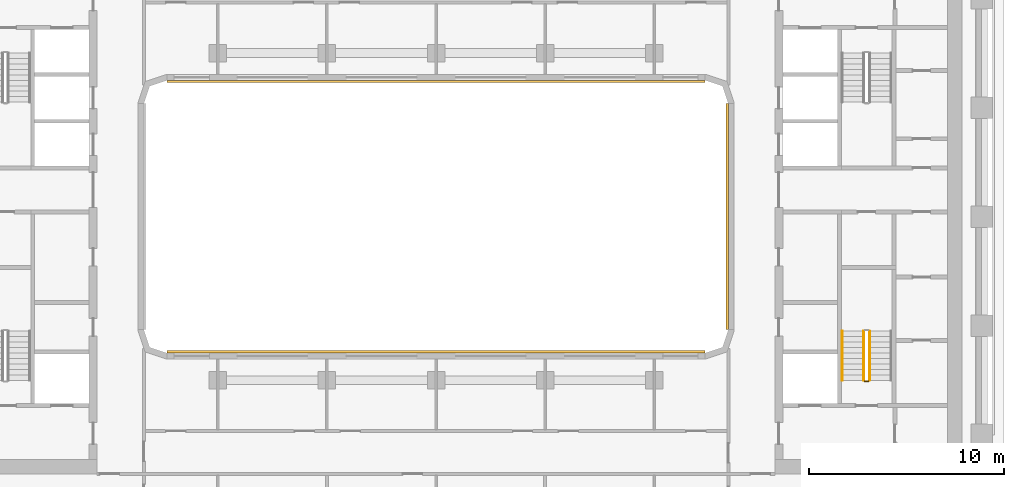
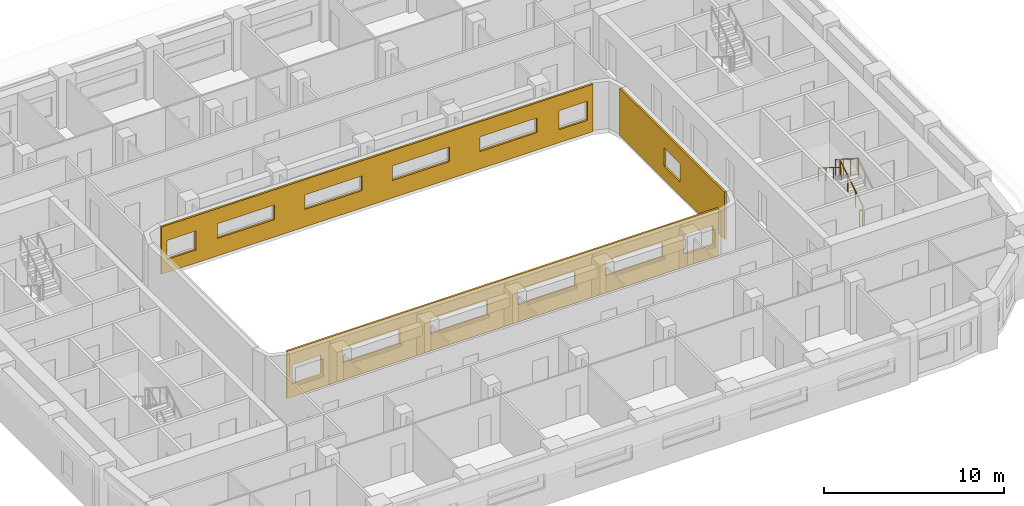
# One storey, part 16 of 22: 4 railings, 3 coverings.
"""IFC4 building model written with IfcOpenShell, lengths in metres."""

from ifc_helpers import new_model, si_unit, direction, frame, origin, origin_2d, place, context, subcontext, project, spatial, polyline, circle, outline, extrude, material, layer, layer_set, type_object, element, save


model = new_model("IFC4")

# Units and contexts
model_context = context("Model", 3, precision=1e-05, world=origin(), true_north=direction((0.0, 1.0)))
body_context = subcontext(model_context, "Body", "Model", "MODEL_VIEW")
ifc_project = project(units=[si_unit("LENGTHUNIT", "METRE"), si_unit("AREAUNIT", "SQUARE_METRE"), si_unit("VOLUMEUNIT", "CUBIC_METRE"), si_unit("PLANEANGLEUNIT", "RADIAN"), si_unit("MASSUNIT", "GRAM", prefix="KILO")], contexts=[model_context])

# Site, building, storey
site_placement = place(None, origin())
site = spatial("IfcSite", under=ifc_project, at=site_placement, CompositionType="ELEMENT")
building_placement = place(site_placement, origin())
building = spatial("IfcBuilding", under=site, at=building_placement, Name="Kiln Ring Residences", CompositionType="ELEMENT")
storey_placement = place(building_placement, frame((0.0, 0.0, 146.60009765625)))
storey = spatial("IfcBuildingStorey", under=building, at=storey_placement, Name="L37", CompositionType="ELEMENT", Elevation=146.60009765625)

# Railings
ifc_material_1 = material(Name="Stainless steel", Category="steel")
railing_type_1 = type_object("IfcRailingType", Name="CORE-STAIR-GUARD", PredefinedType="GUARDRAIL", material=ifc_material_1)
railing_1_placement = place(storey_placement, frame((22.25, -8.39990234375, 0.1748046875)))
element("IfcRailing", 1, at=railing_1_placement, inside=storey, type_object=railing_type_1, Name="L37 E-STS stair guard 1", PredefinedType="GUARDRAIL", context=body_context, shape_type="SweptSolid", body=[
    extrude(circle(Radius=0.02392578125, at=origin_2d()), frame((0.0, 0.0, 1.076171875), z_axis=(0.0, 0.847970611238, 0.530043245855), x_axis=(-1.0, 0.0, 0.0)), (0.0, 0.0, 1.0), 2.971923828125),
    extrude(circle(Radius=0.02099609375, at=origin_2d()), origin(), (0.0, 0.0, 1.0), 1.052001953125),
    extrude(circle(Radius=0.02099609375, at=origin_2d()), frame((0.0, 0.840087890625, 0.525146484375)), (0.0, 0.0, 1.0), 1.052001953125),
    extrude(circle(Radius=0.02099609375, at=origin_2d()), frame((0.0, 1.679931640625, 1.050048828125)), (0.0, 0.0, 1.0), 1.052001953125),
    extrude(circle(Radius=0.02099609375, at=origin_2d()), frame((0.0, 2.52001953125, 1.5751953125)), (0.0, 0.0, 1.0), 1.052001953125),
])
railing_2_placement = place(storey_placement, frame((21.949951171875, -5.8798828125, 1.9248046875)))
element("IfcRailing", 2, at=railing_2_placement, inside=storey, type_object=railing_type_1, Name="L37 E-STS stair guard 3", PredefinedType="GUARDRAIL", context=body_context, shape_type="SweptSolid", body=[
    extrude(circle(Radius=0.02392578125, at=origin_2d()), frame((0.0, 0.0, 1.076171875), z_axis=(0.0, -0.847970611238, 0.530043245855), x_axis=(1.0, 0.0, 0.0)), (0.0, 0.0, 1.0), 2.971923828125),
    extrude(circle(Radius=0.02099609375, at=origin_2d()), origin(), (0.0, 0.0, 1.0), 1.052001953125),
    extrude(circle(Radius=0.02099609375, at=origin_2d()), frame((0.0, -0.840087890625, 0.525146484375)), (0.0, 0.0, 1.0), 1.052001953125),
    extrude(circle(Radius=0.02099609375, at=origin_2d()), frame((0.0, -1.679931640625, 1.050048828125)), (0.0, 0.0, 1.0), 1.052001953125),
    extrude(circle(Radius=0.02099609375, at=origin_2d()), frame((0.0, -2.52001953125, 1.5751953125)), (0.0, 0.0, 1.0), 1.052001953125),
])
railing_3_placement = place(storey_placement, frame((22.199951171875, -8.449951171875, 0.0)))
element("IfcRailing", 3, at=railing_3_placement, inside=storey, type_object=railing_type_1, Name="L37 E-STS stair guard 4", PredefinedType="GUARDRAIL", context=body_context, shape_type="SweptSolid", body=[
    extrude(circle(Radius=0.02392578125, at=origin_2d()), frame((0.0, 0.0, 1.076171875), z_axis=(-1.0, 0.0, 0.0), x_axis=(0.0, -1.0, 0.0)), (0.0, 0.0, 1.0), 0.199951171875),
    extrude(circle(Radius=0.02099609375, at=origin_2d()), origin(), (0.0, 0.0, 1.0), 1.052001953125),
    extrude(circle(Radius=0.02099609375, at=origin_2d()), frame((-0.199951171875, 0.0, 0.0)), (0.0, 0.0, 1.0), 1.052001953125),
])
ifc_material_2 = material(Name="Stainless steel", Category="steel")
railing_type_2 = type_object("IfcRailingType", Name="CORE-STAIR-HANDRAIL", PredefinedType="HANDRAIL", material=ifc_material_2)
railing_4_placement = place(storey_placement, frame((20.85009765625, -5.8798828125, 1.9248046875)))
element("IfcRailing", 4, at=railing_4_placement, inside=storey, type_object=railing_type_2, Name="L37 E-STS stair handrail 2", PredefinedType="HANDRAIL", context=body_context, shape_type="SweptSolid", body=[
    extrude(circle(Radius=0.02392578125, at=origin_2d()), frame((0.0, 0.0, 0.8759765625), z_axis=(0.0, -0.847970611238, 0.530043245855), x_axis=(1.0, 0.0, 0.0)), (0.0, 0.0, 1.0), 2.971923828125),
    extrude(circle(Radius=0.02099609375, at=origin_2d()), origin(), (0.0, 0.0, 1.0), 0.851806640625),
    extrude(circle(Radius=0.02099609375, at=origin_2d()), frame((0.0, -0.840087890625, 0.525146484375)), (0.0, 0.0, 1.0), 0.851806640625),
    extrude(circle(Radius=0.02099609375, at=origin_2d()), frame((0.0, -1.679931640625, 1.050048828125)), (0.0, 0.0, 1.0), 0.851806640625),
    extrude(circle(Radius=0.02099609375, at=origin_2d()), frame((0.0, -2.52001953125, 1.5751953125)), (0.0, 0.0, 1.0), 0.851806640625),
])

# Coverings
ifc_material_3 = material(Name="Brick masonry, dark clay brick", Category="masonry")
ifc_layer = layer(ifc_material_3, 0.1201171875)
ifc_layer_set = layer_set([ifc_layer], Name="RAINSCREEN PANEL 120")
covering_type = type_object("IfcCoveringType", Name="RAINSCREEN PANEL 120", PredefinedType="CLADDING", material=ifc_layer_set)
covering_1_placement = place(storey_placement, frame((-13.800048828125, 6.93994140625, 0.0), z_axis=(0.0, 0.0, 1.0), x_axis=(1.0, 0.0, 0.0)))
element("IfcCovering", 5, at=covering_1_placement, inside=storey, type_object=covering_type, Name="RAINSCREEN L37", PredefinedType="CLADDING", context=body_context, shape_type="SweptSolid", body=[
    extrude(outline(polyline([(0.0, 0.0), (27.60009765625, 0.0), (27.60009765625, 3.199951171875), (0.0, 3.199951171875), (0.0, 0.0)]), holes=[polyline([(2.1826171875, 0.8798828125), (2.1826171875, 2.169921875), (0.342529296875, 2.169921875), (0.342529296875, 0.8798828125), (2.1826171875, 0.8798828125)]), polyline([(25.41748046875, 0.8798828125), (27.257568359375, 0.8798828125), (27.257568359375, 2.169921875), (25.41748046875, 2.169921875), (25.41748046875, 0.8798828125)]), polyline([(3.580078125, 1.179931640625), (7.219970703125, 1.179931640625), (7.219970703125, 2.169921875), (3.580078125, 2.169921875), (3.580078125, 1.179931640625)]), polyline([(12.820068359375, 1.179931640625), (12.820068359375, 2.169921875), (9.179931640625, 2.169921875), (9.179931640625, 1.179931640625), (12.820068359375, 1.179931640625)]), polyline([(14.780029296875, 1.179931640625), (18.419921875, 1.179931640625), (18.419921875, 2.169921875), (14.780029296875, 2.169921875), (14.780029296875, 1.179931640625)]), polyline([(20.3798828125, 1.179931640625), (24.02001953125, 1.179931640625), (24.02001953125, 2.169921875), (20.3798828125, 2.169921875), (20.3798828125, 1.179931640625)])]), frame((0.0, 0.06005859375, 0.0), z_axis=(0.0, -1.0, 0.0), x_axis=(1.0, 0.0, 0.0)), (0.0, 0.0, 1.0), 0.1201171875),
])
covering_2_placement = place(storey_placement, frame((14.93994140625, 5.800048828125, 0.0), z_axis=(0.0, 0.0, 1.0), x_axis=(0.0, -1.0, 0.0)))
element("IfcCovering", 6, at=covering_2_placement, inside=storey, type_object=covering_type, Name="RAINSCREEN L37", PredefinedType="CLADDING", context=body_context, shape_type="SweptSolid", body=[
    extrude(outline(polyline([(0.0, 0.0), (11.60009765625, 0.0), (11.60009765625, 3.199951171875), (0.0, 3.199951171875), (0.0, 0.0)]), holes=[polyline([(4.89990234375, 2.14990234375), (4.89990234375, 0.89990234375), (6.699951171875, 0.89990234375), (6.699951171875, 2.14990234375), (4.89990234375, 2.14990234375)])]), frame((0.0, 0.06005859375, 0.0), z_axis=(0.0, -1.0, 0.0), x_axis=(1.0, 0.0, 0.0)), (0.0, 0.0, 1.0), 0.1201171875),
])
covering_3_placement = place(storey_placement, frame((13.800048828125, -6.93994140625, 0.0), z_axis=(0.0, 0.0, 1.0), x_axis=(-1.0, 0.0, 0.0)))
element("IfcCovering", 7, at=covering_3_placement, inside=storey, type_object=covering_type, Name="RAINSCREEN L37", PredefinedType="CLADDING", context=body_context, shape_type="SweptSolid", body=[
    extrude(outline(polyline([(0.0, 0.0), (27.60009765625, 0.0), (27.60009765625, 3.199951171875), (0.0, 3.199951171875), (0.0, 0.0)]), holes=[polyline([(2.1826171875, 0.8798828125), (2.1826171875, 2.169921875), (0.342529296875, 2.169921875), (0.342529296875, 0.8798828125), (2.1826171875, 0.8798828125)]), polyline([(25.41748046875, 0.8798828125), (27.257568359375, 0.8798828125), (27.257568359375, 2.169921875), (25.41748046875, 2.169921875), (25.41748046875, 0.8798828125)]), polyline([(3.580078125, 1.179931640625), (7.219970703125, 1.179931640625), (7.219970703125, 2.169921875), (3.580078125, 2.169921875), (3.580078125, 1.179931640625)]), polyline([(12.820068359375, 1.179931640625), (12.820068359375, 2.169921875), (9.179931640625, 2.169921875), (9.179931640625, 1.179931640625), (12.820068359375, 1.179931640625)]), polyline([(14.780029296875, 1.179931640625), (18.419921875, 1.179931640625), (18.419921875, 2.169921875), (14.780029296875, 2.169921875), (14.780029296875, 1.179931640625)]), polyline([(20.3798828125, 1.179931640625), (24.02001953125, 1.179931640625), (24.02001953125, 2.169921875), (20.3798828125, 2.169921875), (20.3798828125, 1.179931640625)])]), frame((0.0, 0.06005859375, 0.0), z_axis=(0.0, -1.0, 0.0), x_axis=(1.0, 0.0, 0.0)), (0.0, 0.0, 1.0), 0.1201171875),
])

save(model, "model.ifc")
